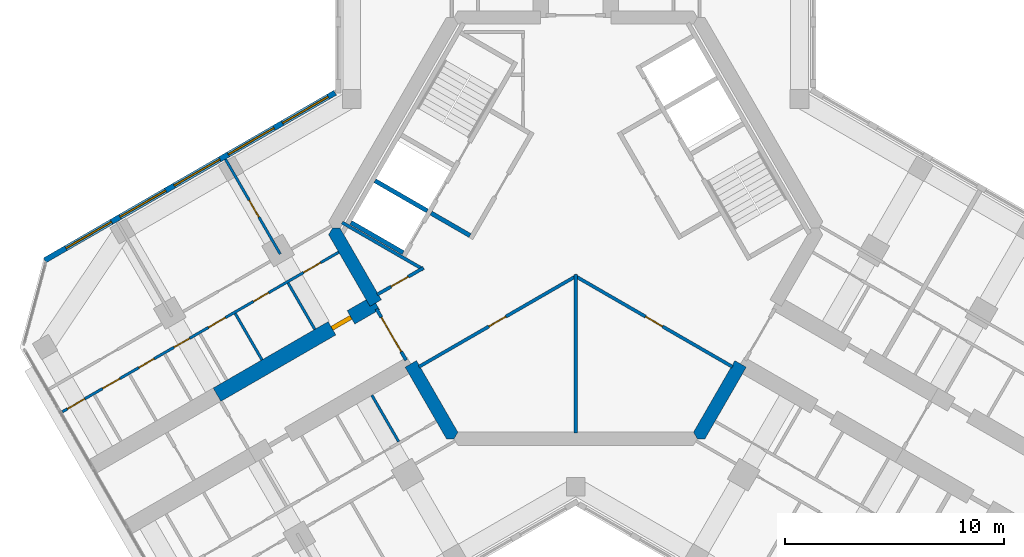
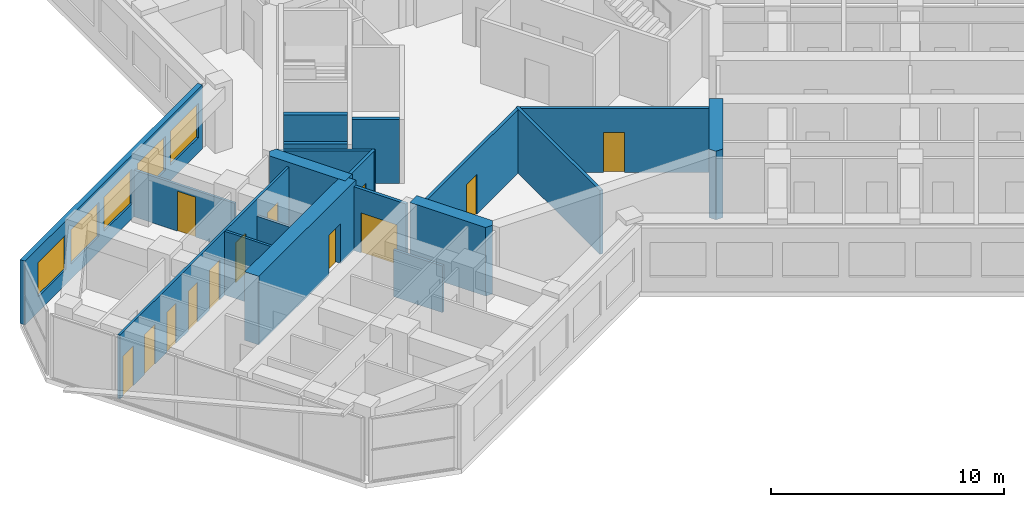
# One storey, part 9 of 16: 19 walls, 13 doors, 5 windows, 18 openings.
"""IFC4 building model written with IfcOpenShell, lengths in metres."""

from ifc_helpers import new_model, si_unit, direction, frame, frame_2d, origin, place, context, subcontext, project, spatial, polyline, rectangle, outline, extrude, material, layer, layer_set, type_object, element, fill, save


model = new_model("IFC4")

# Units and contexts
model_context = context("Model", 3, precision=1e-05, world=origin(), true_north=direction((0.0, 1.0)))
body_context = subcontext(model_context, "Body", "Model", "MODEL_VIEW")
ifc_project = project(units=[si_unit("LENGTHUNIT", "METRE"), si_unit("AREAUNIT", "SQUARE_METRE"), si_unit("VOLUMEUNIT", "CUBIC_METRE"), si_unit("PLANEANGLEUNIT", "RADIAN"), si_unit("MASSUNIT", "GRAM", prefix="KILO")], contexts=[model_context])

# Site, building, storey
site_placement = place(None, origin())
site = spatial("IfcSite", under=ifc_project, at=site_placement, CompositionType="ELEMENT")
building_placement = place(site_placement, origin())
building = spatial("IfcBuilding", under=site, at=building_placement, Name="Kosmar Iwan School Tower", CompositionType="ELEMENT")
storey_placement = place(building_placement, frame((0.0, 0.0, 238.800048828125)))
storey = spatial("IfcBuildingStorey", under=building, at=storey_placement, Name="L60", CompositionType="ELEMENT", Elevation=238.800048828125)

# Wall
ifc_material_1 = material(Name="Gypsum board on steel studs, fire-rated", Category="steel")
ifc_layer_1 = layer(ifc_material_1, 0.14990234375)
ifc_layer_set_1 = layer_set([ifc_layer_1], Name="Core room partition 150")
wall_type_1 = type_object("IfcWallType", Name="Core room partition 150", PredefinedType="PARTITIONING", material=ifc_layer_set_1)
wall_1_placement = place(storey_placement, frame((0.0, -9.344970703125, 0.0), z_axis=(0.0, 0.0, 1.0), x_axis=(0.0, 1.0, 0.0)))
element("IfcWall", 1, at=wall_1_placement, inside=storey, type_object=wall_type_1, Name="Core room partition L60-CW5", PredefinedType="PARTITIONING", context=body_context, shape_type="SweptSolid", body=[
    extrude(rectangle(XDim=7.22607421875, YDim=0.14990234375, at=frame_2d((3.613037109375, 0.0))), origin(), (0.0, 0.0, 1.0), 3.349853515625),
])

# Wall, opening, door
wall_2_placement = place(storey_placement, frame((-0.06494140625, -2.156494140625, 0.0), z_axis=(0.0, 0.0, 1.0), x_axis=(0.866034159509, -0.499984834333, 0.0)))
wall_2 = element("IfcWall", 2, at=wall_2_placement, inside=storey, type_object=wall_type_1, Name="Core room partition L60-CW6", PredefinedType="PARTITIONING", context=body_context, shape_type="SweptSolid", body=[
    extrude(rectangle(XDim=8.322998046875, YDim=0.14990234375, at=frame_2d((4.16162109375, 0.0))), origin(), (0.0, 0.0, 1.0), 3.349853515625),
])
opening_1_placement = place(wall_2_placement, frame((3.7470703125, 0.0, 0.0)))
opening_1 = element("IfcOpeningElement", 3, at=opening_1_placement, cuts=wall_2, Name="Opening D14", PredefinedType="OPENING", context=body_context, shape_type="SweptSolid", body=[
    extrude(rectangle(XDim=0.89990234375, YDim=2.10009765625, at=frame_2d((0.449951171875, 1.050048828125))), frame((0.0, 0.0869140625, 0.0), z_axis=(0.0, -1.0, 0.0), x_axis=(1.0, 0.0, 0.0)), (0.0, 0.0, 1.0), 0.173828125),
])
ifc_material_2 = material(Name="Timber fire door in steel frame", Category="steel")
door_type_1 = type_object("IfcDoorType", Name="Core room door 900x2100", OperationType="SINGLE_SWING_LEFT", PredefinedType="DOOR", material=ifc_material_2)
door_1_placement = place(opening_1_placement, origin())
door_1 = element("IfcDoor", 4, at=door_1_placement, inside=storey, type_object=door_type_1, Name="Refuse and recycling room door L60 3", OperationType="SINGLE_SWING_RIGHT", OverallHeight=2.10009765625, OverallWidth=0.89990234375, PredefinedType="DOOR", context=body_context, shape_type="SweptSolid", body=[
    extrude(rectangle(XDim=0.89990234375, YDim=2.10009765625, at=frame_2d((0.449951171875, 1.050048828125))), frame((0.0, 0.02490234375, 0.0), z_axis=(0.0, -1.0, 0.0), x_axis=(1.0, 0.0, 0.0)), (0.0, 0.0, 1.0), 0.050048828125),
])
fill(opening_1, door_1)

wall_3_placement = place(storey_placement, frame((-7.14306640625, -6.31787109375, 0.0), z_axis=(0.0, 0.0, 1.0), x_axis=(0.866034159509, 0.499984834333, 0.0)))
wall_3 = element("IfcWall", 5, at=wall_3_placement, inside=storey, type_object=wall_type_1, Name="Core room partition L60-CW7", PredefinedType="PARTITIONING", context=body_context, shape_type="SweptSolid", body=[
    extrude(rectangle(XDim=8.322998046875, YDim=0.14990234375, at=frame_2d((4.16162109375, 0.0))), origin(), (0.0, 0.0, 1.0), 3.349853515625),
])
opening_2_placement = place(wall_3_placement, frame((3.677001953125, 0.0, 0.0)))
opening_2 = element("IfcOpeningElement", 6, at=opening_2_placement, cuts=wall_3, Name="Opening D14", PredefinedType="OPENING", context=body_context, shape_type="SweptSolid", body=[
    extrude(rectangle(XDim=0.89990234375, YDim=2.10009765625, at=frame_2d((0.449951171875, 1.050048828125))), frame((0.0, 0.0869140625, 0.0), z_axis=(0.0, -1.0, 0.0), x_axis=(1.0, 0.0, 0.0)), (0.0, 0.0, 1.0), 0.173828125),
])
door_2_placement = place(opening_2_placement, origin())
door_2 = element("IfcDoor", 7, at=door_2_placement, inside=storey, type_object=door_type_1, Name="Bulky waste store door L60 4", OperationType="SINGLE_SWING_LEFT", OverallHeight=2.10009765625, OverallWidth=0.89990234375, PredefinedType="DOOR", context=body_context, shape_type="SweptSolid", body=[
    extrude(rectangle(XDim=0.89990234375, YDim=2.10009765625, at=frame_2d((0.449951171875, 1.050048828125))), frame((0.0, 0.02490234375, 0.0), z_axis=(0.0, -1.0, 0.0), x_axis=(1.0, 0.0, 0.0)), (0.0, 0.0, 1.0), 0.050048828125),
])
fill(opening_2, door_2)

# Wall
wall_4_placement = place(storey_placement, frame((-10.64306640625, 0.255859375, 0.0), z_axis=(0.0, 0.0, 1.0), x_axis=(0.866020364144, -0.500008728811, 0.0)))
element("IfcWall", 8, at=wall_4_placement, inside=storey, type_object=wall_type_1, Name="Core room partition L60-CW8", PredefinedType="PARTITIONING", context=body_context, shape_type="SweptSolid", body=[
    extrude(rectangle(XDim=4.28173828125, YDim=0.14990234375, at=frame_2d((2.140869140625, 0.0))), origin(), (0.0, 0.0, 1.0), 3.349853515625),
])

# Wall, opening, door
wall_5_placement = place(storey_placement, frame((-6.93505859375, -1.81005859375, 0.0), z_axis=(0.0, 0.0, 1.0), x_axis=(-0.86601855109, -0.500011869027, 0.0)))
wall_5 = element("IfcWall", 9, at=wall_5_placement, inside=storey, type_object=wall_type_1, Name="Core room partition L60-CW9", PredefinedType="PARTITIONING", context=body_context, shape_type="SweptSolid", body=[
    extrude(rectangle(XDim=2.43408203125, YDim=0.14990234375, at=frame_2d((1.217041015625, 0.0))), origin(), (0.0, 0.0, 1.0), 3.349853515625),
])
opening_3_placement = place(wall_5_placement, frame((0.802001953125, 0.0, 0.0)))
opening_3 = element("IfcOpeningElement", 10, at=opening_3_placement, cuts=wall_5, Name="Opening D14", PredefinedType="OPENING", context=body_context, shape_type="SweptSolid", body=[
    extrude(rectangle(XDim=0.89990234375, YDim=2.10009765625, at=frame_2d((0.449951171875, 1.050048828125))), frame((0.0, 0.0869140625, 0.0), z_axis=(0.0, -1.0, 0.0), x_axis=(1.0, 0.0, 0.0)), (0.0, 0.0, 1.0), 0.173828125),
])
door_3_placement = place(opening_3_placement, origin())
door_3 = element("IfcDoor", 11, at=door_3_placement, inside=storey, type_object=door_type_1, Name="Communications room door L60 5", OperationType="SINGLE_SWING_RIGHT", OverallHeight=2.10009765625, OverallWidth=0.89990234375, PredefinedType="DOOR", context=body_context, shape_type="SweptSolid", body=[
    extrude(rectangle(XDim=0.89990234375, YDim=2.10009765625, at=frame_2d((0.449951171875, 1.050048828125))), frame((0.0, 0.02490234375, 0.0), z_axis=(0.0, -1.0, 0.0), x_axis=(1.0, 0.0, 0.0)), (0.0, 0.0, 1.0), 0.050048828125),
])
fill(opening_3, door_3)

# Walls
ifc_material_3 = material(Name="Concrete C50/60", Category="concrete")
ifc_layer_2 = layer(ifc_material_3, 0.60009765625)
ifc_layer_set_2 = layer_set([ifc_layer_2], Name="Core wall 600")
wall_type_2 = type_object("IfcWallType", Name="Core wall 600", PredefinedType="SHEAR", material=ifc_layer_set_2)
wall_6_placement = place(storey_placement, origin())
element("IfcWall", 12, at=wall_6_placement, inside=storey, type_object=wall_type_2, Name="Core wall F210a", PredefinedType="SHEAR", context=body_context, shape_type="SweptSolid", body=[
    extrude(outline(polyline([(-9.37353515625, -3.564453125), (-8.85400390625, -3.264404296875), (-10.73876953125, 0.0), (-11.085205078125, 0.0), (-11.25830078125, -0.300048828125), (-9.37353515625, -3.564453125)])), origin(), (0.0, 0.0, 1.0), 3.599853515625),
])
wall_7_placement = place(storey_placement, origin())
element("IfcWall", 13, at=wall_7_placement, inside=storey, type_object=wall_type_2, Name="Core wall F210b", PredefinedType="SHEAR", context=body_context, shape_type="SweptSolid", body=[
    extrude(outline(polyline([(-5.888916015625, -9.60009765625), (-5.54248046875, -9.60009765625), (-5.369384765625, -9.300048828125), (-7.254150390625, -6.03564453125), (-7.773681640625, -6.335693359375), (-5.888916015625, -9.60009765625)])), origin(), (0.0, 0.0, 1.0), 3.599853515625),
])
wall_8_placement = place(storey_placement, origin())
element("IfcWall", 14, at=wall_8_placement, inside=storey, type_object=wall_type_2, Name="Core wall F330a", PredefinedType="SHEAR", context=body_context, shape_type="SweptSolid", body=[
    extrude(outline(polyline([(5.54248046875, -9.60009765625), (5.888916015625, -9.60009765625), (7.773681640625, -6.335693359375), (7.254150390625, -6.03564453125), (5.369384765625, -9.300048828125), (5.54248046875, -9.60009765625)])), origin(), (0.0, 0.0, 1.0), 3.599853515625),
])

# Wall, opening, door
ifc_material_4 = material(Name="Concrete C50/60", Category="concrete")
ifc_layer_3 = layer(ifc_material_4, 0.699951171875)
ifc_layer_set_3 = layer_set([ifc_layer_3], Name="Corridor buttress wall 700")
wall_type_3 = type_object("IfcWallType", Name="Corridor buttress wall 700", PredefinedType="SHEAR", material=ifc_layer_set_3)
wall_9_placement = place(storey_placement, frame((-9.11376953125, -3.414306640625, 0.0), z_axis=(0.0, 0.0, 1.0), x_axis=(-0.866026859388, -0.499997478812, 0.0)))
wall_9 = element("IfcWall", 15, at=wall_9_placement, inside=storey, type_object=wall_type_3, Name="Corridor wall BR", PredefinedType="SHEAR", context=body_context, shape_type="SweptSolid", body=[
    extrude(rectangle(XDim=8.35009765625, YDim=0.699951171875, at=frame_2d((4.175048828125, 0.0))), origin(), (0.0, 0.0, 1.0), 3.599853515625),
])
opening_4_placement = place(wall_9_placement, frame((1.300048828125, 0.0, 0.0)))
opening_4 = element("IfcOpeningElement", 16, at=opening_4_placement, cuts=wall_9, Name="Opening D1", PredefinedType="OPENING", context=body_context, shape_type="SweptSolid", body=[
    extrude(rectangle(XDim=1.0, YDim=2.10009765625, at=frame_2d((0.5, 1.050048828125))), frame((0.0, 0.362060546875, 0.0), z_axis=(0.0, -1.0, 0.0), x_axis=(1.0, 0.0, 0.0)), (0.0, 0.0, 1.0), 0.723876953125),
])
ifc_material_5 = material(Name="Timber fire door in steel frame", Category="steel")
door_type_2 = type_object("IfcDoorType", Name="Flat entrance door 1000x2100", OperationType="SINGLE_SWING_LEFT", PredefinedType="DOOR", material=ifc_material_5)
door_4_placement = place(opening_4_placement, origin())
door_4 = element("IfcDoor", 17, at=door_4_placement, inside=storey, type_object=door_type_2, Name="Flat L60-BR1 entrance door", OperationType="SINGLE_SWING_LEFT", OverallHeight=2.10009765625, OverallWidth=1.0, PredefinedType="DOOR", context=body_context, shape_type="SweptSolid", body=[
    extrude(rectangle(XDim=1.0, YDim=2.10009765625, at=frame_2d((0.5, 1.050048828125))), frame((0.0, 0.10009765625, 0.0), z_axis=(0.0, -1.0, 0.0), x_axis=(1.0, 0.0, 0.0)), (0.0, 0.0, 1.0), 0.199951171875),
])
fill(opening_4, door_4)

ifc_material_6 = material(Name="Steel framed glazed screen", Category="steel")
ifc_layer_4 = layer(ifc_material_6, 0.14990234375)
ifc_layer_set_4 = layer_set([ifc_layer_4], Name="Corridor screen wall 150")
wall_type_4 = type_object("IfcWallType", Name="Corridor screen wall 150", PredefinedType="PARTITIONING", material=ifc_layer_set_4)
wall_10_placement = place(storey_placement, frame((-9.075439453125, -3.680908203125, 0.0), z_axis=(0.0, 0.0, 1.0), x_axis=(0.500048589285, -0.86599734893, 0.0)))
wall_10 = element("IfcWall", 18, at=wall_10_placement, inside=storey, type_object=wall_type_4, Name="Corridor screen B L60", PredefinedType="PARTITIONING", context=body_context, shape_type="SweptSolid", body=[
    extrude(rectangle(XDim=2.699951171875, YDim=0.14990234375, at=frame_2d((1.35009765625, 0.0))), origin(), (0.0, 0.0, 1.0), 3.349853515625),
])
opening_5_placement = place(wall_10_placement, frame((0.449951171875, 0.0, 0.0)))
opening_5 = element("IfcOpeningElement", 19, at=opening_5_placement, cuts=wall_10, Name="Opening D9", PredefinedType="OPENING", context=body_context, shape_type="SweptSolid", body=[
    extrude(rectangle(XDim=1.800048828125, YDim=2.10009765625, at=frame_2d((0.89990234375, 1.050048828125))), frame((0.0, 0.0869140625, 0.0), z_axis=(0.0, -1.0, 0.0), x_axis=(1.0, 0.0, 0.0)), (0.0, 0.0, 1.0), 0.173828125),
])
ifc_material_7 = material(Name="Steel framed glazed smoke door", Category="steel")
door_type_3 = type_object("IfcDoorType", Name="Corridor smoke door pair 1800x2100", OperationType="DOUBLE_DOOR_DOUBLE_SWING", PredefinedType="DOOR", material=ifc_material_7)
door_5_placement = place(opening_5_placement, origin())
door_5 = element("IfcDoor", 20, at=door_5_placement, inside=storey, type_object=door_type_3, Name="Corridor doors B L60", OperationType="DOUBLE_DOOR_DOUBLE_SWING", OverallHeight=2.10009765625, OverallWidth=1.800048828125, PredefinedType="DOOR", context=body_context, shape_type="SweptSolid", body=[
    extrude(rectangle(XDim=1.800048828125, YDim=2.10009765625, at=frame_2d((0.89990234375, 1.050048828125))), frame((0.0, 0.02490234375, 0.0), z_axis=(0.0, -1.0, 0.0), x_axis=(1.0, 0.0, 0.0)), (0.0, 0.0, 1.0), 0.050048828125),
])
fill(opening_5, door_5)

# Wall
ifc_material_8 = material(Name="Gypsum board on steel studs", Category="steel")
ifc_layer_5 = layer(ifc_material_8, 0.1201171875)
ifc_layer_set_5 = layer_set([ifc_layer_5], Name="Dwelling partition 120")
wall_type_5 = type_object("IfcWallType", Name="Dwelling partition 120", PredefinedType="PARTITIONING", material=ifc_layer_set_5)
wall_11_placement = place(storey_placement, frame((-9.287353515625, -7.61376953125, 0.0), z_axis=(0.0, 0.0, 1.0), x_axis=(0.500002508028, -0.866023955769, 0.0)))
element("IfcWall", 21, at=wall_11_placement, inside=storey, type_object=wall_type_5, Name="Partition L60-BL1-Y1", PredefinedType="PARTITIONING", context=body_context, shape_type="SweptSolid", body=[
    extrude(rectangle(XDim=2.43994140625, YDim=0.1201171875, at=frame_2d((1.219970703125, 0.0))), origin(), (0.0, 0.0, 1.0), 2.449951171875),
])

# Wall, openings, doors
wall_12_placement = place(storey_placement, frame((-10.798583984375, -1.09619140625, 0.0), z_axis=(0.0, 0.0, 1.0), x_axis=(-0.866028217562, -0.499995126363, 0.0)))
wall_12 = element("IfcWall", 22, at=wall_12_placement, inside=storey, type_object=wall_type_5, Name="Partition L60-BR1-W1", PredefinedType="PARTITIONING", context=body_context, shape_type="SweptSolid", body=[
    extrude(rectangle(XDim=14.545166015625, YDim=0.1201171875, at=frame_2d((7.2724609375, 0.0))), origin(), (0.0, 0.0, 1.0), 3.349853515625),
])
opening_6_placement = place(wall_12_placement, frame((0.949951171875, 0.0, 0.0)))
opening_6 = element("IfcOpeningElement", 23, at=opening_6_placement, cuts=wall_12, Name="Opening D2", PredefinedType="OPENING", context=body_context, shape_type="SweptSolid", body=[
    extrude(rectangle(XDim=0.89990234375, YDim=2.10009765625, at=frame_2d((0.449951171875, 1.050048828125))), frame((0.0, 0.072021484375, 0.0), z_axis=(0.0, -1.0, 0.0), x_axis=(1.0, 0.0, 0.0)), (0.0, 0.0, 1.0), 0.14404296875),
])
opening_7_placement = place(wall_12_placement, frame((3.6904296875, 0.0, 0.0)))
opening_7 = element("IfcOpeningElement", 24, at=opening_7_placement, cuts=wall_12, Name="Opening D3", PredefinedType="OPENING", context=body_context, shape_type="SweptSolid", body=[
    extrude(rectangle(XDim=0.800048828125, YDim=2.10009765625, at=frame_2d((0.39990234375, 1.050048828125))), frame((0.0, 0.072021484375, 0.0), z_axis=(0.0, -1.0, 0.0), x_axis=(1.0, 0.0, 0.0)), (0.0, 0.0, 1.0), 0.14404296875),
])
opening_8_placement = place(wall_12_placement, frame((5.957763671875, 0.0, 0.0)))
opening_8 = element("IfcOpeningElement", 25, at=opening_8_placement, cuts=wall_12, Name="Opening D2", PredefinedType="OPENING", context=body_context, shape_type="SweptSolid", body=[
    extrude(rectangle(XDim=0.89990234375, YDim=2.10009765625, at=frame_2d((0.449951171875, 1.050048828125))), frame((0.0, 0.072021484375, 0.0), z_axis=(0.0, -1.0, 0.0), x_axis=(1.0, 0.0, 0.0)), (0.0, 0.0, 1.0), 0.14404296875),
])
opening_9_placement = place(wall_12_placement, frame((7.861572265625, 0.0, 0.0)))
opening_9 = element("IfcOpeningElement", 26, at=opening_9_placement, cuts=wall_12, Name="Opening D3", PredefinedType="OPENING", context=body_context, shape_type="SweptSolid", body=[
    extrude(rectangle(XDim=0.800048828125, YDim=2.10009765625, at=frame_2d((0.39990234375, 1.050048828125))), frame((0.0, 0.072021484375, 0.0), z_axis=(0.0, -1.0, 0.0), x_axis=(1.0, 0.0, 0.0)), (0.0, 0.0, 1.0), 0.14404296875),
])
opening_10_placement = place(wall_12_placement, frame((9.71533203125, 0.0, 0.0)))
opening_10 = element("IfcOpeningElement", 27, at=opening_10_placement, cuts=wall_12, Name="Opening D3", PredefinedType="OPENING", context=body_context, shape_type="SweptSolid", body=[
    extrude(rectangle(XDim=0.800048828125, YDim=2.10009765625, at=frame_2d((0.39990234375, 1.050048828125))), frame((0.0, 0.072021484375, 0.0), z_axis=(0.0, -1.0, 0.0), x_axis=(1.0, 0.0, 0.0)), (0.0, 0.0, 1.0), 0.14404296875),
])
opening_11_placement = place(wall_12_placement, frame((11.519287109375, 0.0, 0.0)))
opening_11 = element("IfcOpeningElement", 28, at=opening_11_placement, cuts=wall_12, Name="Opening D2", PredefinedType="OPENING", context=body_context, shape_type="SweptSolid", body=[
    extrude(rectangle(XDim=0.89990234375, YDim=2.10009765625, at=frame_2d((0.449951171875, 1.050048828125))), frame((0.0, 0.072021484375, 0.0), z_axis=(0.0, -1.0, 0.0), x_axis=(1.0, 0.0, 0.0)), (0.0, 0.0, 1.0), 0.14404296875),
])
opening_12_placement = place(wall_12_placement, frame((13.373046875, 0.0, 0.0)))
opening_12 = element("IfcOpeningElement", 29, at=opening_12_placement, cuts=wall_12, Name="Opening D2", PredefinedType="OPENING", context=body_context, shape_type="SweptSolid", body=[
    extrude(rectangle(XDim=0.89990234375, YDim=2.10009765625, at=frame_2d((0.449951171875, 1.050048828125))), frame((0.0, 0.072021484375, 0.0), z_axis=(0.0, -1.0, 0.0), x_axis=(1.0, 0.0, 0.0)), (0.0, 0.0, 1.0), 0.14404296875),
])
ifc_material_9 = material(Name="Timber door in timber frame", Category="wood")
door_type_4 = type_object("IfcDoorType", Name="Internal door 900x2100", OperationType="SINGLE_SWING_LEFT", PredefinedType="DOOR", material=ifc_material_9)
door_6_placement = place(opening_6_placement, origin())
door_6 = element("IfcDoor", 30, at=door_6_placement, inside=storey, type_object=door_type_4, Name="Entrance hall door L60-BR1-S1", OperationType="SINGLE_SWING_LEFT", OverallHeight=2.10009765625, OverallWidth=0.89990234375, PredefinedType="DOOR", context=body_context, shape_type="SweptSolid", body=[
    extrude(rectangle(XDim=0.89990234375, YDim=2.10009765625, at=frame_2d((0.449951171875, 1.050048828125))), frame((0.0, 0.02490234375, 0.0), z_axis=(0.0, -1.0, 0.0), x_axis=(1.0, 0.0, 0.0)), (0.0, 0.0, 1.0), 0.050048828125),
])
fill(opening_6, door_6)
door_7_placement = place(opening_8_placement, origin())
door_7 = element("IfcDoor", 31, at=door_7_placement, inside=storey, type_object=door_type_4, Name="Pantry door L60-BR1-S3", OperationType="SINGLE_SWING_LEFT", OverallHeight=2.10009765625, OverallWidth=0.89990234375, PredefinedType="DOOR", context=body_context, shape_type="SweptSolid", body=[
    extrude(rectangle(XDim=0.89990234375, YDim=2.10009765625, at=frame_2d((0.449951171875, 1.050048828125))), frame((0.0, 0.02490234375, 0.0), z_axis=(0.0, -1.0, 0.0), x_axis=(1.0, 0.0, 0.0)), (0.0, 0.0, 1.0), 0.050048828125),
])
fill(opening_8, door_7)
door_8_placement = place(opening_11_placement, origin())
door_8 = element("IfcDoor", 32, at=door_8_placement, inside=storey, type_object=door_type_4, Name="Utility room door L60-BR1-S6", OperationType="SINGLE_SWING_RIGHT", OverallHeight=2.10009765625, OverallWidth=0.89990234375, PredefinedType="DOOR", context=body_context, shape_type="SweptSolid", body=[
    extrude(rectangle(XDim=0.89990234375, YDim=2.10009765625, at=frame_2d((0.449951171875, 1.050048828125))), frame((0.0, 0.02490234375, 0.0), z_axis=(0.0, -1.0, 0.0), x_axis=(1.0, 0.0, 0.0)), (0.0, 0.0, 1.0), 0.050048828125),
])
fill(opening_11, door_8)
door_9_placement = place(opening_12_placement, origin())
door_9 = element("IfcDoor", 33, at=door_9_placement, inside=storey, type_object=door_type_4, Name="Dressing room door L60-BR1-S7", OperationType="SINGLE_SWING_RIGHT", OverallHeight=2.10009765625, OverallWidth=0.89990234375, PredefinedType="DOOR", context=body_context, shape_type="SweptSolid", body=[
    extrude(rectangle(XDim=0.89990234375, YDim=2.10009765625, at=frame_2d((0.449951171875, 1.050048828125))), frame((0.0, 0.02490234375, 0.0), z_axis=(0.0, -1.0, 0.0), x_axis=(1.0, 0.0, 0.0)), (0.0, 0.0, 1.0), 0.050048828125),
])
fill(opening_12, door_9)
ifc_material_10 = material(Name="Timber door in timber frame", Category="wood")
door_type_5 = type_object("IfcDoorType", Name="Sanitary room door 800x2100", OperationType="SINGLE_SWING_LEFT", PredefinedType="DOOR", material=ifc_material_10)
door_10_placement = place(opening_7_placement, origin())
door_10 = element("IfcDoor", 34, at=door_10_placement, inside=storey, type_object=door_type_5, Name="Bathroom door L60-BR1-S2", OperationType="SINGLE_SWING_RIGHT", OverallHeight=2.10009765625, OverallWidth=0.800048828125, PredefinedType="DOOR", context=body_context, shape_type="SweptSolid", body=[
    extrude(rectangle(XDim=0.800048828125, YDim=2.10009765625, at=frame_2d((0.39990234375, 1.050048828125))), frame((0.0, 0.02490234375, 0.0), z_axis=(0.0, -1.0, 0.0), x_axis=(1.0, 0.0, 0.0)), (0.0, 0.0, 1.0), 0.050048828125),
])
fill(opening_7, door_10)
door_11_placement = place(opening_9_placement, origin())
door_11 = element("IfcDoor", 35, at=door_11_placement, inside=storey, type_object=door_type_5, Name="WC door L60-BR1-S4", OperationType="SINGLE_SWING_RIGHT", OverallHeight=2.10009765625, OverallWidth=0.800048828125, PredefinedType="DOOR", context=body_context, shape_type="SweptSolid", body=[
    extrude(rectangle(XDim=0.800048828125, YDim=2.10009765625, at=frame_2d((0.39990234375, 1.050048828125))), frame((0.0, 0.02490234375, 0.0), z_axis=(0.0, -1.0, 0.0), x_axis=(1.0, 0.0, 0.0)), (0.0, 0.0, 1.0), 0.050048828125),
])
fill(opening_9, door_11)
door_12_placement = place(opening_10_placement, origin())
door_12 = element("IfcDoor", 36, at=door_12_placement, inside=storey, type_object=door_type_5, Name="Store door L60-BR1-S5", OperationType="SINGLE_SWING_LEFT", OverallHeight=2.10009765625, OverallWidth=0.800048828125, PredefinedType="DOOR", context=body_context, shape_type="SweptSolid", body=[
    extrude(rectangle(XDim=0.800048828125, YDim=2.10009765625, at=frame_2d((0.39990234375, 1.050048828125))), frame((0.0, 0.02490234375, 0.0), z_axis=(0.0, -1.0, 0.0), x_axis=(1.0, 0.0, 0.0)), (0.0, 0.0, 1.0), 0.050048828125),
])
fill(opening_10, door_12)

# Wall, opening, door
wall_13_placement = place(storey_placement, frame((-13.4638671875, -1.179931640625, 0.0), z_axis=(0.0, 0.0, 1.0), x_axis=(-0.499975153383, 0.86603974851, 0.0)))
wall_13 = element("IfcWall", 37, at=wall_13_placement, inside=storey, type_object=wall_type_5, Name="Partition L60-BR1-X1", PredefinedType="PARTITIONING", context=body_context, shape_type="SweptSolid", body=[
    extrude(rectangle(XDim=4.989990234375, YDim=0.1201171875, at=frame_2d((2.4951171875, 0.0))), origin(), (0.0, 0.0, 1.0), 2.449951171875),
])
opening_13_placement = place(wall_13_placement, frame((1.93994140625, 0.0, 0.0)))
opening_13 = element("IfcOpeningElement", 38, at=opening_13_placement, cuts=wall_13, Name="Opening D2", PredefinedType="OPENING", context=body_context, shape_type="SweptSolid", body=[
    extrude(rectangle(XDim=0.89990234375, YDim=2.10009765625, at=frame_2d((0.449951171875, 1.050048828125))), frame((0.0, 0.072021484375, 0.0), z_axis=(0.0, -1.0, 0.0), x_axis=(1.0, 0.0, 0.0)), (0.0, 0.0, 1.0), 0.14404296875),
])
door_13_placement = place(opening_13_placement, origin())
door_13 = element("IfcDoor", 39, at=door_13_placement, inside=storey, type_object=door_type_4, Name="Kitchen and dining room door L60-BR1-F1", OperationType="SINGLE_SWING_LEFT", OverallHeight=2.10009765625, OverallWidth=0.89990234375, PredefinedType="DOOR", context=body_context, shape_type="SweptSolid", body=[
    extrude(rectangle(XDim=0.89990234375, YDim=2.10009765625, at=frame_2d((0.449951171875, 1.050048828125))), frame((0.0, 0.02490234375, 0.0), z_axis=(0.0, -1.0, 0.0), x_axis=(1.0, 0.0, 0.0)), (0.0, 0.0, 1.0), 0.050048828125),
])
fill(opening_13, door_13)

# Walls
wall_14_placement = place(storey_placement, frame((-11.886962890625, -4.611328125, 0.0), z_axis=(0.0, 0.0, 1.0), x_axis=(-0.499959183527, 0.866048967903, 0.0)))
element("IfcWall", 40, at=wall_14_placement, inside=storey, type_object=wall_type_5, Name="Partition L60-BR1-Y1", PredefinedType="PARTITIONING", context=body_context, shape_type="SweptSolid", body=[
    extrude(rectangle(XDim=2.440185546875, YDim=0.1201171875, at=frame_2d((1.22021484375, 0.0))), origin(), (0.0, 0.0, 1.0), 2.449951171875),
])
wall_15_placement = place(storey_placement, frame((-14.295166015625, -6.001708984375, 0.0), z_axis=(0.0, 0.0, 1.0), x_axis=(-0.499959183527, 0.866048967903, 0.0)))
element("IfcWall", 41, at=wall_15_placement, inside=storey, type_object=wall_type_5, Name="Partition L60-BR1-Y2", PredefinedType="PARTITIONING", context=body_context, shape_type="SweptSolid", body=[
    extrude(rectangle(XDim=2.440185546875, YDim=0.1201171875, at=frame_2d((1.22021484375, 0.0))), origin(), (0.0, 0.0, 1.0), 3.349853515625),
])

# Wall, openings, windows
ifc_material_11 = material(Name="Black aluminium rainscreen on insulated framing", Category="aluminium")
ifc_layer_6 = layer(ifc_material_11, 0.25)
ifc_layer_set_6 = layer_set([ifc_layer_6], Name="External wall rainscreen 250")
wall_type_6 = type_object("IfcWallType", Name="External wall rainscreen 250", PredefinedType="SOLIDWALL", material=ifc_layer_set_6)
wall_16_placement = place(storey_placement, frame((-10.962890625, 6.170166015625, 0.0), z_axis=(0.0, 0.0, 1.0), x_axis=(-0.866025637253, -0.499999595621, 0.0)))
wall_16 = element("IfcWall", 42, at=wall_16_placement, inside=storey, type_object=wall_type_6, Name="External wall BR L60", PredefinedType="SOLIDWALL", context=body_context, shape_type="SweptSolid", body=[
    extrude(rectangle(XDim=15.2763671875, YDim=0.25, at=frame_2d((7.63818359375, 0.0))), origin(), (0.0, 0.0, 1.0), 3.349853515625),
])
opening_14_placement = place(wall_16_placement, frame((0.365966796875, 0.0, 0.800048828125)))
opening_14 = element("IfcOpeningElement", 43, at=opening_14_placement, cuts=wall_16, Name="Opening W5", PredefinedType="OPENING", context=body_context, shape_type="SweptSolid", body=[
    extrude(rectangle(XDim=2.39990234375, YDim=1.800048828125, at=frame_2d((1.199951171875, 0.89990234375))), frame((0.0, 0.136962890625, 0.0), z_axis=(0.0, -1.0, 0.0), x_axis=(1.0, 0.0, 0.0)), (0.0, 0.0, 1.0), 0.27392578125),
])
opening_15_placement = place(wall_16_placement, frame((3.216064453125, 0.0, 0.800048828125)))
opening_15 = element("IfcOpeningElement", 44, at=opening_15_placement, cuts=wall_16, Name="Opening W5", PredefinedType="OPENING", context=body_context, shape_type="SweptSolid", body=[
    extrude(rectangle(XDim=2.39990234375, YDim=1.800048828125, at=frame_2d((1.199951171875, 0.89990234375))), frame((0.0, 0.136962890625, 0.0), z_axis=(0.0, -1.0, 0.0), x_axis=(1.0, 0.0, 0.0)), (0.0, 0.0, 1.0), 0.27392578125),
])
opening_16_placement = place(wall_16_placement, frame((6.06591796875, 0.0, 0.800048828125)))
opening_16 = element("IfcOpeningElement", 45, at=opening_16_placement, cuts=wall_16, Name="Opening W5", PredefinedType="OPENING", context=body_context, shape_type="SweptSolid", body=[
    extrude(rectangle(XDim=2.39990234375, YDim=1.800048828125, at=frame_2d((1.199951171875, 0.89990234375))), frame((0.0, 0.136962890625, 0.0), z_axis=(0.0, -1.0, 0.0), x_axis=(1.0, 0.0, 0.0)), (0.0, 0.0, 1.0), 0.27392578125),
])
opening_17_placement = place(wall_16_placement, frame((8.916015625, 0.0, 0.800048828125)))
opening_17 = element("IfcOpeningElement", 46, at=opening_17_placement, cuts=wall_16, Name="Opening W5", PredefinedType="OPENING", context=body_context, shape_type="SweptSolid", body=[
    extrude(rectangle(XDim=2.39990234375, YDim=1.800048828125, at=frame_2d((1.199951171875, 0.89990234375))), frame((0.0, 0.136962890625, 0.0), z_axis=(0.0, -1.0, 0.0), x_axis=(1.0, 0.0, 0.0)), (0.0, 0.0, 1.0), 0.27392578125),
])
opening_18_placement = place(wall_16_placement, frame((11.76611328125, 0.0, 0.800048828125)))
opening_18 = element("IfcOpeningElement", 47, at=opening_18_placement, cuts=wall_16, Name="Opening W5", PredefinedType="OPENING", context=body_context, shape_type="SweptSolid", body=[
    extrude(rectangle(XDim=2.39990234375, YDim=1.800048828125, at=frame_2d((1.199951171875, 0.89990234375))), frame((0.0, 0.136962890625, 0.0), z_axis=(0.0, -1.0, 0.0), x_axis=(1.0, 0.0, 0.0)), (0.0, 0.0, 1.0), 0.27392578125),
])
ifc_material_12 = material(Name="Black aluminium frame with dark triple glazing", Category="aluminium")
window_type = type_object("IfcWindowType", Name="Window 2400x1800", PartitioningType="SINGLE_PANEL", PredefinedType="WINDOW", material=ifc_material_12)
window_1_placement = place(opening_14_placement, origin())
window_1 = element("IfcWindow", 48, at=window_1_placement, inside=storey, type_object=window_type, Name="Window BR L60 -1", OverallHeight=1.800048828125, OverallWidth=2.39990234375, PartitioningType="SINGLE_PANEL", PredefinedType="WINDOW", context=body_context, shape_type="SweptSolid", body=[
    extrude(rectangle(XDim=2.39990234375, YDim=1.800048828125, at=frame_2d((1.199951171875, 0.89990234375))), frame((0.0, 0.030029296875, 0.0), z_axis=(0.0, -1.0, 0.0), x_axis=(1.0, 0.0, 0.0)), (0.0, 0.0, 1.0), 0.06005859375),
])
fill(opening_14, window_1)
window_2_placement = place(opening_15_placement, origin())
window_2 = element("IfcWindow", 49, at=window_2_placement, inside=storey, type_object=window_type, Name="Window BR L60 0", OverallHeight=1.800048828125, OverallWidth=2.39990234375, PartitioningType="SINGLE_PANEL", PredefinedType="WINDOW", context=body_context, shape_type="SweptSolid", body=[
    extrude(rectangle(XDim=2.39990234375, YDim=1.800048828125, at=frame_2d((1.199951171875, 0.89990234375))), frame((0.0, 0.030029296875, 0.0), z_axis=(0.0, -1.0, 0.0), x_axis=(1.0, 0.0, 0.0)), (0.0, 0.0, 1.0), 0.06005859375),
])
fill(opening_15, window_2)
window_3_placement = place(opening_16_placement, origin())
window_3 = element("IfcWindow", 50, at=window_3_placement, inside=storey, type_object=window_type, Name="Window BR L60 1", OverallHeight=1.800048828125, OverallWidth=2.39990234375, PartitioningType="SINGLE_PANEL", PredefinedType="WINDOW", context=body_context, shape_type="SweptSolid", body=[
    extrude(rectangle(XDim=2.39990234375, YDim=1.800048828125, at=frame_2d((1.199951171875, 0.89990234375))), frame((0.0, 0.030029296875, 0.0), z_axis=(0.0, -1.0, 0.0), x_axis=(1.0, 0.0, 0.0)), (0.0, 0.0, 1.0), 0.06005859375),
])
fill(opening_16, window_3)
window_4_placement = place(opening_17_placement, origin())
window_4 = element("IfcWindow", 51, at=window_4_placement, inside=storey, type_object=window_type, Name="Window BR L60 2", OverallHeight=1.800048828125, OverallWidth=2.39990234375, PartitioningType="SINGLE_PANEL", PredefinedType="WINDOW", context=body_context, shape_type="SweptSolid", body=[
    extrude(rectangle(XDim=2.39990234375, YDim=1.800048828125, at=frame_2d((1.199951171875, 0.89990234375))), frame((0.0, 0.030029296875, 0.0), z_axis=(0.0, -1.0, 0.0), x_axis=(1.0, 0.0, 0.0)), (0.0, 0.0, 1.0), 0.06005859375),
])
fill(opening_17, window_4)
window_5_placement = place(opening_18_placement, origin())
window_5 = element("IfcWindow", 52, at=window_5_placement, inside=storey, type_object=window_type, Name="Window BR L60 3", OverallHeight=1.800048828125, OverallWidth=2.39990234375, PartitioningType="SINGLE_PANEL", PredefinedType="WINDOW", context=body_context, shape_type="SweptSolid", body=[
    extrude(rectangle(XDim=2.39990234375, YDim=1.800048828125, at=frame_2d((1.199951171875, 0.89990234375))), frame((0.0, 0.030029296875, 0.0), z_axis=(0.0, -1.0, 0.0), x_axis=(1.0, 0.0, 0.0)), (0.0, 0.0, 1.0), 0.06005859375),
])
fill(opening_18, window_5)

# Walls
ifc_material_13 = material(Name="Concrete block masonry", Category="masonry")
ifc_layer_7 = layer(ifc_material_13, 0.199951171875)
ifc_layer_set_7 = layer_set([ifc_layer_7], Name="Fire lobby wall 200")
wall_type_7 = type_object("IfcWallType", Name="Fire lobby wall 200", PredefinedType="PARTITIONING", material=ifc_layer_set_7)
wall_17_placement = place(storey_placement, frame((-4.814208984375, -0.33837890625, 0.0), z_axis=(0.0, 0.0, 1.0), x_axis=(-0.865969381856, 0.500097020274, 0.0)))
element("IfcWall", 53, at=wall_17_placement, inside=storey, type_object=wall_type_7, Name="Firefighting lobby wall ST2", PredefinedType="PARTITIONING", context=body_context, shape_type="SweptSolid", body=[
    extrude(rectangle(XDim=2.0498046875, YDim=0.199951171875, at=frame_2d((1.02490234375, 0.0))), origin(), (0.0, 0.0, 1.0), 3.349853515625),
])
ifc_material_14 = material(Name="Concrete C50/60", Category="concrete")
ifc_layer_8 = layer(ifc_material_14, 0.199951171875)
ifc_layer_set_8 = layer_set([ifc_layer_8], Name="Lift shaft wall 200")
wall_type_8 = type_object("IfcWallType", Name="Lift shaft wall 200", PredefinedType="SHEAR", material=ifc_layer_set_8)
for number, where, z_axis, x_axis, name in (
    (54, (-6.7626953125, 0.78662109375, 0.0), (0.0, 0.0, 1.0), (-0.866027397988, 0.499996545922, 0.0), "Lift shaft wall AB 1"),
    (55, (-7.862548828125, -1.118408203125, 0.0), (0.0, 0.0, 1.0), (-0.866027397988, 0.499996545922, 0.0), "Lift shaft wall AB 2"),
):
    element("IfcWall", number, at=place(storey_placement, frame(where, z_axis=z_axis, x_axis=x_axis)), inside=storey, type_object=wall_type_8, Name=name, PredefinedType="SHEAR", context=body_context, shape_type="SweptSolid", body=[
        extrude(rectangle(XDim=2.75, YDim=0.199951171875, at=frame_2d((1.375, 0.0))), origin(), (0.0, 0.0, 1.0), 3.599853515625),
    ])

save(model, "model.ifc")
